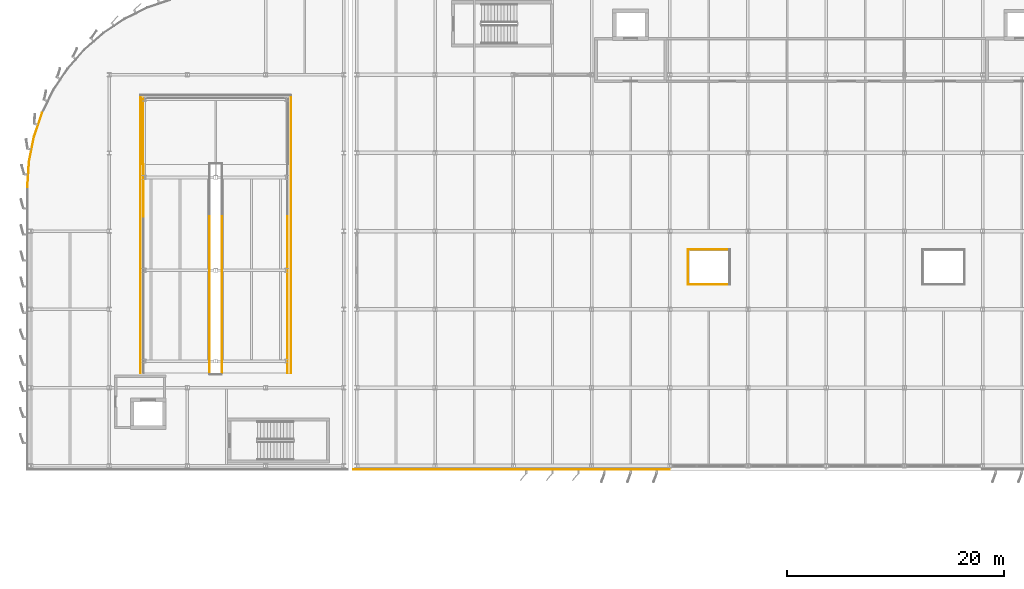
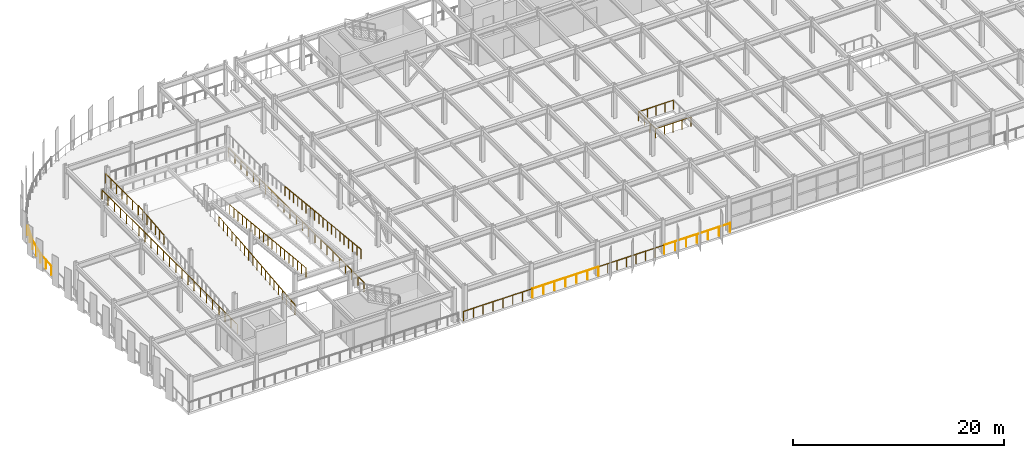
# One storey, part 64 of 80: 23 railings.
"""IFC4 building model written with IfcOpenShell, lengths in metres."""

from ifc_helpers import new_model, si_unit, direction, frame, origin, origin_2d, place, context, subcontext, project, spatial, circle, extrude, material, layer, layer_set, type_object, element, save


model = new_model("IFC4")

# Units and contexts
model_context = context("Model", 3, precision=1e-05, world=origin(), true_north=direction((0.0, 1.0)))
body_context = subcontext(model_context, "Body", "Model", "MODEL_VIEW")
ifc_project = project(units=[si_unit("LENGTHUNIT", "METRE"), si_unit("AREAUNIT", "SQUARE_METRE"), si_unit("VOLUMEUNIT", "CUBIC_METRE"), si_unit("PLANEANGLEUNIT", "RADIAN"), si_unit("MASSUNIT", "GRAM", prefix="KILO")], contexts=[model_context])

# Site, building, storey
site_placement = place(None, origin())
site = spatial("IfcSite", under=ifc_project, at=site_placement, CompositionType="ELEMENT")
building_placement = place(site_placement, origin())
building = spatial("IfcBuilding", under=site, at=building_placement, Name="Vaelcorin Mobility Hub", CompositionType="ELEMENT")
storey_placement = place(building_placement, frame((0.0, 0.0, 9.300048828125)))
storey = spatial("IfcBuildingStorey", under=building, at=storey_placement, Name="L02", CompositionType="ELEMENT", Elevation=9.300048828125)

# Railings
ifc_material = material(Name="Galvanised structural steel ASTM A36", Category="steel")
ifc_layer = layer(ifc_material, 0.070068359375)
ifc_layer_set = layer_set([ifc_layer], Name="Galvanised structural steel ASTM A36")
railing_type = type_object("IfcRailingType", Name="RL-GUARD-1100", PredefinedType="BALUSTRADE", material=ifc_layer_set)
railing_1_placement = place(storey_placement, frame((35.669921875, 76.469970703125, 0.0)))
element("IfcRailing", 1, at=railing_1_placement, inside=storey, type_object=railing_type, Name="L02 Perimeter Guard GR-V4-L02-S-01-01", PredefinedType="BALUSTRADE", context=body_context, shape_type="SweptSolid", body=[
    extrude(circle(Radius=0.02392578125, at=origin_2d()), frame((0.0, 0.0, 1.076171875), z_axis=(1.0, 0.0, 0.0), x_axis=(0.0, 1.0, 0.0)), (0.0, 0.0, 1.0), 7.530029296875),
    extrude(circle(Radius=0.02099609375, at=origin_2d()), origin(), (0.0, 0.0, 1.0), 1.052001953125),
    extrude(circle(Radius=0.02099609375, at=origin_2d()), frame((1.07568359375, 0.0, 0.0)), (0.0, 0.0, 1.0), 1.052001953125),
    extrude(circle(Radius=0.02099609375, at=origin_2d()), frame((2.1513671875, 0.0, 0.0)), (0.0, 0.0, 1.0), 1.052001953125),
    extrude(circle(Radius=0.02099609375, at=origin_2d()), frame((3.22705078125, 0.0, 0.0)), (0.0, 0.0, 1.0), 1.052001953125),
    extrude(circle(Radius=0.02099609375, at=origin_2d()), frame((4.302978515625, 0.0, 0.0)), (0.0, 0.0, 1.0), 1.052001953125),
    extrude(circle(Radius=0.02099609375, at=origin_2d()), frame((5.378662109375, 0.0, 0.0)), (0.0, 0.0, 1.0), 1.052001953125),
    extrude(circle(Radius=0.02099609375, at=origin_2d()), frame((6.454345703125, 0.0, 0.0)), (0.0, 0.0, 1.0), 1.052001953125),
    extrude(circle(Radius=0.02099609375, at=origin_2d()), frame((7.530029296875, 0.0, 0.0)), (0.0, 0.0, 1.0), 1.052001953125),
])
railing_2_placement = place(storey_placement, frame((43.199951171875, 76.469970703125, 0.0)))
element("IfcRailing", 2, at=railing_2_placement, inside=storey, type_object=railing_type, Name="L02 Perimeter Guard GR-V4-L02-S-02-01", PredefinedType="BALUSTRADE", context=body_context, shape_type="SweptSolid", body=[
    extrude(circle(Radius=0.02392578125, at=origin_2d()), frame((0.0, 0.0, 1.076171875), z_axis=(1.0, 0.0, 0.0), x_axis=(0.0, 1.0, 0.0)), (0.0, 0.0, 1.0), 7.199951171875),
    extrude(circle(Radius=0.02099609375, at=origin_2d()), origin(), (0.0, 0.0, 1.0), 1.052001953125),
    extrude(circle(Radius=0.02099609375, at=origin_2d()), frame((1.199951171875, 0.0, 0.0)), (0.0, 0.0, 1.0), 1.052001953125),
    extrude(circle(Radius=0.02099609375, at=origin_2d()), frame((2.39990234375, 0.0, 0.0)), (0.0, 0.0, 1.0), 1.052001953125),
    extrude(circle(Radius=0.02099609375, at=origin_2d()), frame((3.60009765625, 0.0, 0.0)), (0.0, 0.0, 1.0), 1.052001953125),
    extrude(circle(Radius=0.02099609375, at=origin_2d()), frame((4.800048828125, 0.0, 0.0)), (0.0, 0.0, 1.0), 1.052001953125),
    extrude(circle(Radius=0.02099609375, at=origin_2d()), frame((6.0, 0.0, 0.0)), (0.0, 0.0, 1.0), 1.052001953125),
    extrude(circle(Radius=0.02099609375, at=origin_2d()), frame((7.199951171875, 0.0, 0.0)), (0.0, 0.0, 1.0), 1.052001953125),
])
railing_3_placement = place(storey_placement, frame((50.39990234375, 76.469970703125, 0.0)))
element("IfcRailing", 3, at=railing_3_placement, inside=storey, type_object=railing_type, Name="L02 Perimeter Guard GR-V4-L02-S-03-01", PredefinedType="BALUSTRADE", context=body_context, shape_type="SweptSolid", body=[
    extrude(circle(Radius=0.02392578125, at=origin_2d()), frame((0.0, 0.0, 1.076171875), z_axis=(1.0, 0.0, 0.0), x_axis=(0.0, 1.0, 0.0)), (0.0, 0.0, 1.0), 7.2001953125),
    extrude(circle(Radius=0.02099609375, at=origin_2d()), origin(), (0.0, 0.0, 1.0), 1.052001953125),
    extrude(circle(Radius=0.02099609375, at=origin_2d()), frame((1.028564453125, 0.0, 0.0)), (0.0, 0.0, 1.0), 1.052001953125),
    extrude(circle(Radius=0.02099609375, at=origin_2d()), frame((2.05712890625, 0.0, 0.0)), (0.0, 0.0, 1.0), 1.052001953125),
    extrude(circle(Radius=0.02099609375, at=origin_2d()), frame((3.085693359375, 0.0, 0.0)), (0.0, 0.0, 1.0), 1.052001953125),
    extrude(circle(Radius=0.02099609375, at=origin_2d()), frame((4.114501953125, 0.0, 0.0)), (0.0, 0.0, 1.0), 1.052001953125),
    extrude(circle(Radius=0.02099609375, at=origin_2d()), frame((5.14306640625, 0.0, 0.0)), (0.0, 0.0, 1.0), 1.052001953125),
    extrude(circle(Radius=0.02099609375, at=origin_2d()), frame((6.171630859375, 0.0, 0.0)), (0.0, 0.0, 1.0), 1.052001953125),
    extrude(circle(Radius=0.02099609375, at=origin_2d()), frame((7.2001953125, 0.0, 0.0)), (0.0, 0.0, 1.0), 1.052001953125),
])
railing_4_placement = place(storey_placement, frame((57.60009765625, 76.469970703125, 0.0)))
element("IfcRailing", 4, at=railing_4_placement, inside=storey, type_object=railing_type, Name="L02 Perimeter Guard GR-V4-L02-S-04-01", PredefinedType="BALUSTRADE", context=body_context, shape_type="SweptSolid", body=[
    extrude(circle(Radius=0.02392578125, at=origin_2d()), frame((0.0, 0.0, 1.076171875), z_axis=(1.0, 0.0, 0.0), x_axis=(0.0, 1.0, 0.0)), (0.0, 0.0, 1.0), 7.199951171875),
    extrude(circle(Radius=0.02099609375, at=origin_2d()), origin(), (0.0, 0.0, 1.0), 1.052001953125),
    extrude(circle(Radius=0.02099609375, at=origin_2d()), frame((1.199951171875, 0.0, 0.0)), (0.0, 0.0, 1.0), 1.052001953125),
    extrude(circle(Radius=0.02099609375, at=origin_2d()), frame((2.39990234375, 0.0, 0.0)), (0.0, 0.0, 1.0), 1.052001953125),
    extrude(circle(Radius=0.02099609375, at=origin_2d()), frame((3.60009765625, 0.0, 0.0)), (0.0, 0.0, 1.0), 1.052001953125),
    extrude(circle(Radius=0.02099609375, at=origin_2d()), frame((4.800048828125, 0.0, 0.0)), (0.0, 0.0, 1.0), 1.052001953125),
    extrude(circle(Radius=0.02099609375, at=origin_2d()), frame((6.0, 0.0, 0.0)), (0.0, 0.0, 1.0), 1.052001953125),
    extrude(circle(Radius=0.02099609375, at=origin_2d()), frame((7.199951171875, 0.0, 0.0)), (0.0, 0.0, 1.0), 1.052001953125),
])
railing_5_placement = place(storey_placement, frame((66.47998046875, 93.47998046875, 0.0)))
element("IfcRailing", 5, at=railing_5_placement, inside=storey, type_object=railing_type, Name="L02 Perimeter Guard GR-V4-L02-LW1-01", PredefinedType="BALUSTRADE", context=body_context, shape_type="SweptSolid", body=[
    extrude(circle(Radius=0.02392578125, at=origin_2d()), frame((0.0, 0.0, 1.076171875), z_axis=(1.0, 0.0, 0.0), x_axis=(0.0, 1.0, 0.0)), (0.0, 0.0, 1.0), 3.840087890625),
    extrude(circle(Radius=0.02099609375, at=origin_2d()), origin(), (0.0, 0.0, 1.0), 1.052001953125),
    extrude(circle(Radius=0.02099609375, at=origin_2d()), frame((0.9599609375, 0.0, 0.0)), (0.0, 0.0, 1.0), 1.052001953125),
    extrude(circle(Radius=0.02099609375, at=origin_2d()), frame((1.919921875, 0.0, 0.0)), (0.0, 0.0, 1.0), 1.052001953125),
    extrude(circle(Radius=0.02099609375, at=origin_2d()), frame((2.880126953125, 0.0, 0.0)), (0.0, 0.0, 1.0), 1.052001953125),
    extrude(circle(Radius=0.02099609375, at=origin_2d()), frame((3.840087890625, 0.0, 0.0)), (0.0, 0.0, 1.0), 1.052001953125),
])
railing_6_placement = place(storey_placement, frame((70.320068359375, 96.719970703125, 0.0)))
element("IfcRailing", 6, at=railing_6_placement, inside=storey, type_object=railing_type, Name="L02 Perimeter Guard GR-V4-L02-LW1-03", PredefinedType="BALUSTRADE", context=body_context, shape_type="SweptSolid", body=[
    extrude(circle(Radius=0.02392578125, at=origin_2d()), frame((0.0, 0.0, 1.076171875), z_axis=(-1.0, 0.0, 0.0), x_axis=(0.0, -1.0, 0.0)), (0.0, 0.0, 1.0), 3.840087890625),
    extrude(circle(Radius=0.02099609375, at=origin_2d()), origin(), (0.0, 0.0, 1.0), 1.052001953125),
    extrude(circle(Radius=0.02099609375, at=origin_2d()), frame((-0.9599609375, 0.0, 0.0)), (0.0, 0.0, 1.0), 1.052001953125),
    extrude(circle(Radius=0.02099609375, at=origin_2d()), frame((-1.919921875, 0.0, 0.0)), (0.0, 0.0, 1.0), 1.052001953125),
    extrude(circle(Radius=0.02099609375, at=origin_2d()), frame((-2.880126953125, 0.0, 0.0)), (0.0, 0.0, 1.0), 1.052001953125),
    extrude(circle(Radius=0.02099609375, at=origin_2d()), frame((-3.840087890625, 0.0, 0.0)), (0.0, 0.0, 1.0), 1.052001953125),
])
railing_7_placement = place(storey_placement, frame((66.47998046875, 96.719970703125, 0.0)))
element("IfcRailing", 7, at=railing_7_placement, inside=storey, type_object=railing_type, Name="L02 Perimeter Guard GR-V4-L02-LW1-04", PredefinedType="BALUSTRADE", context=body_context, shape_type="SweptSolid", body=[
    extrude(circle(Radius=0.02392578125, at=origin_2d()), frame((0.0, 0.0, 1.076171875), z_axis=(0.0, -1.0, 0.0), x_axis=(1.0, 0.0, 0.0)), (0.0, 0.0, 1.0), 3.239990234375),
    extrude(circle(Radius=0.02099609375, at=origin_2d()), origin(), (0.0, 0.0, 1.0), 1.052001953125),
    extrude(circle(Radius=0.02099609375, at=origin_2d()), frame((0.0, -1.080078125, 0.0)), (0.0, 0.0, 1.0), 1.052001953125),
    extrude(circle(Radius=0.02099609375, at=origin_2d()), frame((0.0, -2.159912109375, 0.0)), (0.0, 0.0, 1.0), 1.052001953125),
    extrude(circle(Radius=0.02099609375, at=origin_2d()), frame((0.0, -3.239990234375, 0.0)), (0.0, 0.0, 1.0), 1.052001953125),
])
railing_8_placement = place(storey_placement, frame((16.080078125, 85.340087890625, 0.0)))
element("IfcRailing", 8, at=railing_8_placement, inside=storey, type_object=railing_type, Name="L02 Perimeter Guard GR-V2W-L02-WELL-01", PredefinedType="BALUSTRADE", context=body_context, shape_type="SweptSolid", body=[
    extrude(circle(Radius=0.02392578125, at=origin_2d()), frame((0.0, 0.0, 1.076171875), z_axis=(0.0, 1.0, 0.0), x_axis=(-1.0, 0.0, 0.0)), (0.0, 0.0, 1.0), 25.579833984375),
    extrude(circle(Radius=0.02099609375, at=origin_2d()), origin(), (0.0, 0.0, 1.0), 1.052001953125),
    extrude(circle(Radius=0.02099609375, at=origin_2d()), frame((0.0, 1.16259765625, 0.0)), (0.0, 0.0, 1.0), 1.052001953125),
    extrude(circle(Radius=0.02099609375, at=origin_2d()), frame((0.0, 2.325439453125, 0.0)), (0.0, 0.0, 1.0), 1.052001953125),
    extrude(circle(Radius=0.02099609375, at=origin_2d()), frame((0.0, 3.488037109375, 0.0)), (0.0, 0.0, 1.0), 1.052001953125),
    extrude(circle(Radius=0.02099609375, at=origin_2d()), frame((0.0, 4.65087890625, 0.0)), (0.0, 0.0, 1.0), 1.052001953125),
    extrude(circle(Radius=0.02099609375, at=origin_2d()), frame((0.0, 5.8134765625, 0.0)), (0.0, 0.0, 1.0), 1.052001953125),
    extrude(circle(Radius=0.02099609375, at=origin_2d()), frame((0.0, 6.976318359375, 0.0)), (0.0, 0.0, 1.0), 1.052001953125),
    extrude(circle(Radius=0.02099609375, at=origin_2d()), frame((0.0, 8.13916015625, 0.0)), (0.0, 0.0, 1.0), 1.052001953125),
    extrude(circle(Radius=0.02099609375, at=origin_2d()), frame((0.0, 9.3017578125, 0.0)), (0.0, 0.0, 1.0), 1.052001953125),
    extrude(circle(Radius=0.02099609375, at=origin_2d()), frame((0.0, 10.46435546875, 0.0)), (0.0, 0.0, 1.0), 1.052001953125),
    extrude(circle(Radius=0.02099609375, at=origin_2d()), frame((0.0, 11.627197265625, 0.0)), (0.0, 0.0, 1.0), 1.052001953125),
    extrude(circle(Radius=0.02099609375, at=origin_2d()), frame((0.0, 12.7900390625, 0.0)), (0.0, 0.0, 1.0), 1.052001953125),
    extrude(circle(Radius=0.02099609375, at=origin_2d()), frame((0.0, 13.95263671875, 0.0)), (0.0, 0.0, 1.0), 1.052001953125),
    extrude(circle(Radius=0.02099609375, at=origin_2d()), frame((0.0, 15.115234375, 0.0)), (0.0, 0.0, 1.0), 1.052001953125),
    extrude(circle(Radius=0.02099609375, at=origin_2d()), frame((0.0, 16.278076171875, 0.0)), (0.0, 0.0, 1.0), 1.052001953125),
    extrude(circle(Radius=0.02099609375, at=origin_2d()), frame((0.0, 17.44091796875, 0.0)), (0.0, 0.0, 1.0), 1.052001953125),
    extrude(circle(Radius=0.02099609375, at=origin_2d()), frame((0.0, 18.603515625, 0.0)), (0.0, 0.0, 1.0), 1.052001953125),
    extrude(circle(Radius=0.02099609375, at=origin_2d()), frame((0.0, 19.76611328125, 0.0)), (0.0, 0.0, 1.0), 1.052001953125),
    extrude(circle(Radius=0.02099609375, at=origin_2d()), frame((0.0, 20.928955078125, 0.0)), (0.0, 0.0, 1.0), 1.052001953125),
    extrude(circle(Radius=0.02099609375, at=origin_2d()), frame((0.0, 22.091796875, 0.0)), (0.0, 0.0, 1.0), 1.052001953125),
    extrude(circle(Radius=0.02099609375, at=origin_2d()), frame((0.0, 23.25439453125, 0.0)), (0.0, 0.0, 1.0), 1.052001953125),
    extrude(circle(Radius=0.02099609375, at=origin_2d()), frame((0.0, 24.4169921875, 0.0)), (0.0, 0.0, 1.0), 1.052001953125),
    extrude(circle(Radius=0.02099609375, at=origin_2d()), frame((0.0, 25.579833984375, 0.0)), (0.0, 0.0, 1.0), 1.052001953125),
])
railing_9_placement = place(storey_placement, frame((29.919921875, 110.919921875, 0.0)))
element("IfcRailing", 9, at=railing_9_placement, inside=storey, type_object=railing_type, Name="L02 Perimeter Guard GR-V2W-L02-WELL-03", PredefinedType="BALUSTRADE", context=body_context, shape_type="SweptSolid", body=[
    extrude(circle(Radius=0.02392578125, at=origin_2d()), frame((0.0, 0.0, 1.076171875), z_axis=(0.0, -1.0, 0.0), x_axis=(1.0, 0.0, 0.0)), (0.0, 0.0, 1.0), 25.579833984375),
    extrude(circle(Radius=0.02099609375, at=origin_2d()), origin(), (0.0, 0.0, 1.0), 1.052001953125),
    extrude(circle(Radius=0.02099609375, at=origin_2d()), frame((0.0, -1.16259765625, 0.0)), (0.0, 0.0, 1.0), 1.052001953125),
    extrude(circle(Radius=0.02099609375, at=origin_2d()), frame((0.0, -2.325439453125, 0.0)), (0.0, 0.0, 1.0), 1.052001953125),
    extrude(circle(Radius=0.02099609375, at=origin_2d()), frame((0.0, -3.488037109375, 0.0)), (0.0, 0.0, 1.0), 1.052001953125),
    extrude(circle(Radius=0.02099609375, at=origin_2d()), frame((0.0, -4.65087890625, 0.0)), (0.0, 0.0, 1.0), 1.052001953125),
    extrude(circle(Radius=0.02099609375, at=origin_2d()), frame((0.0, -5.8134765625, 0.0)), (0.0, 0.0, 1.0), 1.052001953125),
    extrude(circle(Radius=0.02099609375, at=origin_2d()), frame((0.0, -6.976318359375, 0.0)), (0.0, 0.0, 1.0), 1.052001953125),
    extrude(circle(Radius=0.02099609375, at=origin_2d()), frame((0.0, -8.13916015625, 0.0)), (0.0, 0.0, 1.0), 1.052001953125),
    extrude(circle(Radius=0.02099609375, at=origin_2d()), frame((0.0, -9.3017578125, 0.0)), (0.0, 0.0, 1.0), 1.052001953125),
    extrude(circle(Radius=0.02099609375, at=origin_2d()), frame((0.0, -10.46435546875, 0.0)), (0.0, 0.0, 1.0), 1.052001953125),
    extrude(circle(Radius=0.02099609375, at=origin_2d()), frame((0.0, -11.627197265625, 0.0)), (0.0, 0.0, 1.0), 1.052001953125),
    extrude(circle(Radius=0.02099609375, at=origin_2d()), frame((0.0, -12.7900390625, 0.0)), (0.0, 0.0, 1.0), 1.052001953125),
    extrude(circle(Radius=0.02099609375, at=origin_2d()), frame((0.0, -13.95263671875, 0.0)), (0.0, 0.0, 1.0), 1.052001953125),
    extrude(circle(Radius=0.02099609375, at=origin_2d()), frame((0.0, -15.115234375, 0.0)), (0.0, 0.0, 1.0), 1.052001953125),
    extrude(circle(Radius=0.02099609375, at=origin_2d()), frame((0.0, -16.278076171875, 0.0)), (0.0, 0.0, 1.0), 1.052001953125),
    extrude(circle(Radius=0.02099609375, at=origin_2d()), frame((0.0, -17.44091796875, 0.0)), (0.0, 0.0, 1.0), 1.052001953125),
    extrude(circle(Radius=0.02099609375, at=origin_2d()), frame((0.0, -18.603515625, 0.0)), (0.0, 0.0, 1.0), 1.052001953125),
    extrude(circle(Radius=0.02099609375, at=origin_2d()), frame((0.0, -19.76611328125, 0.0)), (0.0, 0.0, 1.0), 1.052001953125),
    extrude(circle(Radius=0.02099609375, at=origin_2d()), frame((0.0, -20.928955078125, 0.0)), (0.0, 0.0, 1.0), 1.052001953125),
    extrude(circle(Radius=0.02099609375, at=origin_2d()), frame((0.0, -22.091796875, 0.0)), (0.0, 0.0, 1.0), 1.052001953125),
    extrude(circle(Radius=0.02099609375, at=origin_2d()), frame((0.0, -23.25439453125, 0.0)), (0.0, 0.0, 1.0), 1.052001953125),
    extrude(circle(Radius=0.02099609375, at=origin_2d()), frame((0.0, -24.4169921875, 0.0)), (0.0, 0.0, 1.0), 1.052001953125),
    extrude(circle(Radius=0.02099609375, at=origin_2d()), frame((0.0, -25.579833984375, 0.0)), (0.0, 0.0, 1.0), 1.052001953125),
])
for number, where, name in (
    (10, (16.3798828125, 99.7451171875, 1.4619140625), "L02 Ramp Guard GR-V2W-L02-FL1-W-04"),
    (11, (22.419921875, 85.360107421875, 0.0), "L02 Ramp Guard GR-V2W-L02-FL1-E-01"),
):
    element("IfcRailing", number, at=place(storey_placement, frame(where)), inside=storey, type_object=railing_type, Name=name, PredefinedType="BALUSTRADE", context=body_context, shape_type="SweptSolid", body=[
        extrude(circle(Radius=0.02392578125, at=origin_2d()), frame((0.0, 0.0, 1.076171875), z_axis=(0.0, 0.994860105467, 0.10125892825), x_axis=(-1.0, 0.0, 0.0)), (0.0, 0.0, 1.0), 4.819580078125),
        extrude(circle(Radius=0.02099609375, at=origin_2d()), origin(), (0.0, 0.0, 1.0), 1.052001953125),
        extrude(circle(Radius=0.02099609375, at=origin_2d()), frame((0.0, 0.799072265625, 0.081298828125)), (0.0, 0.0, 1.0), 1.052001953125),
        extrude(circle(Radius=0.02099609375, at=origin_2d()), frame((0.0, 1.598388671875, 0.16259765625)), (0.0, 0.0, 1.0), 1.052001953125),
        extrude(circle(Radius=0.02099609375, at=origin_2d()), frame((0.0, 2.3974609375, 0.244140625)), (0.0, 0.0, 1.0), 1.052001953125),
        extrude(circle(Radius=0.02099609375, at=origin_2d()), frame((0.0, 3.196533203125, 0.325439453125)), (0.0, 0.0, 1.0), 1.052001953125),
        extrude(circle(Radius=0.02099609375, at=origin_2d()), frame((0.0, 3.995849609375, 0.40673828125)), (0.0, 0.0, 1.0), 1.052001953125),
        extrude(circle(Radius=0.02099609375, at=origin_2d()), frame((0.0, 4.794921875, 0.488037109375)), (0.0, 0.0, 1.0), 1.052001953125),
    ])
railing_10_placement = place(storey_placement, frame((22.419921875, 90.155029296875, 0.488037109375)))
element("IfcRailing", 12, at=railing_10_placement, inside=storey, type_object=railing_type, Name="L02 Ramp Guard GR-V2W-L02-FL1-E-02", PredefinedType="BALUSTRADE", context=body_context, shape_type="SweptSolid", body=[
    extrude(circle(Radius=0.02392578125, at=origin_2d()), frame((0.0, 0.0, 1.076171875), z_axis=(0.0, 0.994885588968, 0.101008241568), x_axis=(-1.0, 0.0, 0.0)), (0.0, 0.0, 1.0), 4.819580078125),
    extrude(circle(Radius=0.02099609375, at=origin_2d()), origin(), (0.0, 0.0, 1.0), 1.052001953125),
    extrude(circle(Radius=0.02099609375, at=origin_2d()), frame((0.0, 0.799072265625, 0.0810546875)), (0.0, 0.0, 1.0), 1.052001953125),
    extrude(circle(Radius=0.02099609375, at=origin_2d()), frame((0.0, 1.598388671875, 0.162353515625)), (0.0, 0.0, 1.0), 1.052001953125),
    extrude(circle(Radius=0.02099609375, at=origin_2d()), frame((0.0, 2.3974609375, 0.243408203125)), (0.0, 0.0, 1.0), 1.052001953125),
    extrude(circle(Radius=0.02099609375, at=origin_2d()), frame((0.0, 3.196533203125, 0.324462890625)), (0.0, 0.0, 1.0), 1.052001953125),
    extrude(circle(Radius=0.02099609375, at=origin_2d()), frame((0.0, 3.995849609375, 0.40576171875)), (0.0, 0.0, 1.0), 1.052001953125),
    extrude(circle(Radius=0.02099609375, at=origin_2d()), frame((0.0, 4.794921875, 0.48681640625)), (0.0, 0.0, 1.0), 1.052001953125),
])
railing_11_placement = place(storey_placement, frame((22.419921875, 94.949951171875, 0.974853515625)))
element("IfcRailing", 13, at=railing_11_placement, inside=storey, type_object=railing_type, Name="L02 Ramp Guard GR-V2W-L02-FL1-E-03", PredefinedType="BALUSTRADE", context=body_context, shape_type="SweptSolid", body=[
    extrude(circle(Radius=0.02392578125, at=origin_2d()), frame((0.0, 0.0, 1.076171875), z_axis=(0.0, 0.994881014515, 0.101053287712), x_axis=(-1.0, 0.0, 0.0)), (0.0, 0.0, 1.0), 4.81982421875),
    extrude(circle(Radius=0.02099609375, at=origin_2d()), origin(), (0.0, 0.0, 1.0), 1.052001953125),
    extrude(circle(Radius=0.02099609375, at=origin_2d()), frame((0.0, 0.79931640625, 0.0810546875)), (0.0, 0.0, 1.0), 1.052001953125),
    extrude(circle(Radius=0.02099609375, at=origin_2d()), frame((0.0, 1.598388671875, 0.162353515625)), (0.0, 0.0, 1.0), 1.052001953125),
    extrude(circle(Radius=0.02099609375, at=origin_2d()), frame((0.0, 2.3974609375, 0.24365234375)), (0.0, 0.0, 1.0), 1.052001953125),
    extrude(circle(Radius=0.02099609375, at=origin_2d()), frame((0.0, 3.19677734375, 0.32470703125)), (0.0, 0.0, 1.0), 1.052001953125),
    extrude(circle(Radius=0.02099609375, at=origin_2d()), frame((0.0, 3.99609375, 0.40576171875)), (0.0, 0.0, 1.0), 1.052001953125),
    extrude(circle(Radius=0.02099609375, at=origin_2d()), frame((0.0, 4.795166015625, 0.487060546875)), (0.0, 0.0, 1.0), 1.052001953125),
])
railing_12_placement = place(storey_placement, frame((23.580078125, 99.7451171875, 2.43798828125)))
element("IfcRailing", 14, at=railing_12_placement, inside=storey, type_object=railing_type, Name="L02 Ramp Guard GR-V2W-L02-FL2-W-02", PredefinedType="BALUSTRADE", context=body_context, shape_type="SweptSolid", body=[
    extrude(circle(Radius=0.02392578125, at=origin_2d()), frame((0.0, 0.0, 1.076171875), z_axis=(0.0, -0.994881014515, 0.101053287712), x_axis=(1.0, 0.0, 0.0)), (0.0, 0.0, 1.0), 4.81982421875),
    extrude(circle(Radius=0.02099609375, at=origin_2d()), origin(), (0.0, 0.0, 1.0), 1.052001953125),
    extrude(circle(Radius=0.02099609375, at=origin_2d()), frame((0.0, -0.79931640625, 0.0810546875)), (0.0, 0.0, 1.0), 1.052001953125),
    extrude(circle(Radius=0.02099609375, at=origin_2d()), frame((0.0, -1.598388671875, 0.162353515625)), (0.0, 0.0, 1.0), 1.052001953125),
    extrude(circle(Radius=0.02099609375, at=origin_2d()), frame((0.0, -2.3974609375, 0.24365234375)), (0.0, 0.0, 1.0), 1.052001953125),
    extrude(circle(Radius=0.02099609375, at=origin_2d()), frame((0.0, -3.19677734375, 0.32470703125)), (0.0, 0.0, 1.0), 1.052001953125),
    extrude(circle(Radius=0.02099609375, at=origin_2d()), frame((0.0, -3.99609375, 0.40576171875)), (0.0, 0.0, 1.0), 1.052001953125),
    extrude(circle(Radius=0.02099609375, at=origin_2d()), frame((0.0, -4.795166015625, 0.487060546875)), (0.0, 0.0, 1.0), 1.052001953125),
])
railing_13_placement = place(storey_placement, frame((23.580078125, 94.949951171875, 2.925048828125)))
element("IfcRailing", 15, at=railing_13_placement, inside=storey, type_object=railing_type, Name="L02 Ramp Guard GR-V2W-L02-FL2-W-03", PredefinedType="BALUSTRADE", context=body_context, shape_type="SweptSolid", body=[
    extrude(circle(Radius=0.02392578125, at=origin_2d()), frame((0.0, 0.0, 1.076171875), z_axis=(0.0, -0.994885588968, 0.101008241568), x_axis=(1.0, 0.0, 0.0)), (0.0, 0.0, 1.0), 4.819580078125),
    extrude(circle(Radius=0.02099609375, at=origin_2d()), origin(), (0.0, 0.0, 1.0), 1.052001953125),
    extrude(circle(Radius=0.02099609375, at=origin_2d()), frame((0.0, -0.799072265625, 0.0810546875)), (0.0, 0.0, 1.0), 1.052001953125),
    extrude(circle(Radius=0.02099609375, at=origin_2d()), frame((0.0, -1.598388671875, 0.162353515625)), (0.0, 0.0, 1.0), 1.052001953125),
    extrude(circle(Radius=0.02099609375, at=origin_2d()), frame((0.0, -2.3974609375, 0.243408203125)), (0.0, 0.0, 1.0), 1.052001953125),
    extrude(circle(Radius=0.02099609375, at=origin_2d()), frame((0.0, -3.196533203125, 0.324462890625)), (0.0, 0.0, 1.0), 1.052001953125),
    extrude(circle(Radius=0.02099609375, at=origin_2d()), frame((0.0, -3.995849609375, 0.40576171875)), (0.0, 0.0, 1.0), 1.052001953125),
    extrude(circle(Radius=0.02099609375, at=origin_2d()), frame((0.0, -4.794921875, 0.48681640625)), (0.0, 0.0, 1.0), 1.052001953125),
])
railing_14_placement = place(storey_placement, frame((23.580078125, 90.155029296875, 3.411865234375)))
element("IfcRailing", 16, at=railing_14_placement, inside=storey, type_object=railing_type, Name="L02 Ramp Guard GR-V2W-L02-FL2-W-04", PredefinedType="BALUSTRADE", context=body_context, shape_type="SweptSolid", body=[
    extrude(circle(Radius=0.02392578125, at=origin_2d()), frame((0.0, 0.0, 1.076171875), z_axis=(0.0, -0.994860105467, 0.10125892825), x_axis=(1.0, 0.0, 0.0)), (0.0, 0.0, 1.0), 4.819580078125),
    extrude(circle(Radius=0.02099609375, at=origin_2d()), origin(), (0.0, 0.0, 1.0), 1.052001953125),
    extrude(circle(Radius=0.02099609375, at=origin_2d()), frame((0.0, -0.799072265625, 0.081298828125)), (0.0, 0.0, 1.0), 1.052001953125),
    extrude(circle(Radius=0.02099609375, at=origin_2d()), frame((0.0, -1.598388671875, 0.16259765625)), (0.0, 0.0, 1.0), 1.052001953125),
    extrude(circle(Radius=0.02099609375, at=origin_2d()), frame((0.0, -2.3974609375, 0.244140625)), (0.0, 0.0, 1.0), 1.052001953125),
    extrude(circle(Radius=0.02099609375, at=origin_2d()), frame((0.0, -3.196533203125, 0.325439453125)), (0.0, 0.0, 1.0), 1.052001953125),
    extrude(circle(Radius=0.02099609375, at=origin_2d()), frame((0.0, -3.995849609375, 0.40673828125)), (0.0, 0.0, 1.0), 1.052001953125),
    extrude(circle(Radius=0.02099609375, at=origin_2d()), frame((0.0, -4.794921875, 0.488037109375)), (0.0, 0.0, 1.0), 1.052001953125),
])
railing_15_placement = place(storey_placement, frame((29.6201171875, 99.7451171875, 2.43798828125)))
element("IfcRailing", 17, at=railing_15_placement, inside=storey, type_object=railing_type, Name="L02 Ramp Guard GR-V2W-L02-FL2-E-02", PredefinedType="BALUSTRADE", context=body_context, shape_type="SweptSolid", body=[
    extrude(circle(Radius=0.02392578125, at=origin_2d()), frame((0.0, 0.0, 1.076171875), z_axis=(0.0, -0.994881014515, 0.101053287712), x_axis=(1.0, 0.0, 0.0)), (0.0, 0.0, 1.0), 4.81982421875),
    extrude(circle(Radius=0.02099609375, at=origin_2d()), origin(), (0.0, 0.0, 1.0), 1.052001953125),
    extrude(circle(Radius=0.02099609375, at=origin_2d()), frame((0.0, -0.79931640625, 0.0810546875)), (0.0, 0.0, 1.0), 1.052001953125),
    extrude(circle(Radius=0.02099609375, at=origin_2d()), frame((0.0, -1.598388671875, 0.162353515625)), (0.0, 0.0, 1.0), 1.052001953125),
    extrude(circle(Radius=0.02099609375, at=origin_2d()), frame((0.0, -2.3974609375, 0.24365234375)), (0.0, 0.0, 1.0), 1.052001953125),
    extrude(circle(Radius=0.02099609375, at=origin_2d()), frame((0.0, -3.19677734375, 0.32470703125)), (0.0, 0.0, 1.0), 1.052001953125),
    extrude(circle(Radius=0.02099609375, at=origin_2d()), frame((0.0, -3.99609375, 0.40576171875)), (0.0, 0.0, 1.0), 1.052001953125),
    extrude(circle(Radius=0.02099609375, at=origin_2d()), frame((0.0, -4.795166015625, 0.487060546875)), (0.0, 0.0, 1.0), 1.052001953125),
])
railing_16_placement = place(storey_placement, frame((29.6201171875, 94.949951171875, 2.925048828125)))
element("IfcRailing", 18, at=railing_16_placement, inside=storey, type_object=railing_type, Name="L02 Ramp Guard GR-V2W-L02-FL2-E-03", PredefinedType="BALUSTRADE", context=body_context, shape_type="SweptSolid", body=[
    extrude(circle(Radius=0.02392578125, at=origin_2d()), frame((0.0, 0.0, 1.076171875), z_axis=(0.0, -0.994885588968, 0.101008241568), x_axis=(1.0, 0.0, 0.0)), (0.0, 0.0, 1.0), 4.819580078125),
    extrude(circle(Radius=0.02099609375, at=origin_2d()), origin(), (0.0, 0.0, 1.0), 1.052001953125),
    extrude(circle(Radius=0.02099609375, at=origin_2d()), frame((0.0, -0.799072265625, 0.0810546875)), (0.0, 0.0, 1.0), 1.052001953125),
    extrude(circle(Radius=0.02099609375, at=origin_2d()), frame((0.0, -1.598388671875, 0.162353515625)), (0.0, 0.0, 1.0), 1.052001953125),
    extrude(circle(Radius=0.02099609375, at=origin_2d()), frame((0.0, -2.3974609375, 0.243408203125)), (0.0, 0.0, 1.0), 1.052001953125),
    extrude(circle(Radius=0.02099609375, at=origin_2d()), frame((0.0, -3.196533203125, 0.324462890625)), (0.0, 0.0, 1.0), 1.052001953125),
    extrude(circle(Radius=0.02099609375, at=origin_2d()), frame((0.0, -3.995849609375, 0.40576171875)), (0.0, 0.0, 1.0), 1.052001953125),
    extrude(circle(Radius=0.02099609375, at=origin_2d()), frame((0.0, -4.794921875, 0.48681640625)), (0.0, 0.0, 1.0), 1.052001953125),
])
railing_17_placement = place(storey_placement, frame((29.6201171875, 90.155029296875, 3.411865234375)))
element("IfcRailing", 19, at=railing_17_placement, inside=storey, type_object=railing_type, Name="L02 Ramp Guard GR-V2W-L02-FL2-E-04", PredefinedType="BALUSTRADE", context=body_context, shape_type="SweptSolid", body=[
    extrude(circle(Radius=0.02392578125, at=origin_2d()), frame((0.0, 0.0, 1.076171875), z_axis=(0.0, -0.994860105467, 0.10125892825), x_axis=(1.0, 0.0, 0.0)), (0.0, 0.0, 1.0), 4.819580078125),
    extrude(circle(Radius=0.02099609375, at=origin_2d()), origin(), (0.0, 0.0, 1.0), 1.052001953125),
    extrude(circle(Radius=0.02099609375, at=origin_2d()), frame((0.0, -0.799072265625, 0.081298828125)), (0.0, 0.0, 1.0), 1.052001953125),
    extrude(circle(Radius=0.02099609375, at=origin_2d()), frame((0.0, -1.598388671875, 0.16259765625)), (0.0, 0.0, 1.0), 1.052001953125),
    extrude(circle(Radius=0.02099609375, at=origin_2d()), frame((0.0, -2.3974609375, 0.244140625)), (0.0, 0.0, 1.0), 1.052001953125),
    extrude(circle(Radius=0.02099609375, at=origin_2d()), frame((0.0, -3.196533203125, 0.325439453125)), (0.0, 0.0, 1.0), 1.052001953125),
    extrude(circle(Radius=0.02099609375, at=origin_2d()), frame((0.0, -3.995849609375, 0.40673828125)), (0.0, 0.0, 1.0), 1.052001953125),
    extrude(circle(Radius=0.02099609375, at=origin_2d()), frame((0.0, -4.794921875, 0.488037109375)), (0.0, 0.0, 1.0), 1.052001953125),
])
railing_18_placement = place(storey_placement, frame((16.330078125, 104.56005859375, 1.949951171875)))
element("IfcRailing", 20, at=railing_18_placement, inside=storey, type_object=railing_type, Name="L02 Perimeter Guard GR-V2W-L02-LND-01", PredefinedType="BALUSTRADE", context=body_context, shape_type="SweptSolid", body=[
    extrude(circle(Radius=0.02392578125, at=origin_2d()), frame((0.0, 0.0, 1.076171875), z_axis=(0.0, 1.0, 0.0), x_axis=(-1.0, 0.0, 0.0)), (0.0, 0.0, 1.0), 6.10986328125),
    extrude(circle(Radius=0.02099609375, at=origin_2d()), origin(), (0.0, 0.0, 1.0), 1.052001953125),
    extrude(circle(Radius=0.02099609375, at=origin_2d()), frame((0.0, 1.018310546875, 0.0)), (0.0, 0.0, 1.0), 1.052001953125),
    extrude(circle(Radius=0.02099609375, at=origin_2d()), frame((0.0, 2.03662109375, 0.0)), (0.0, 0.0, 1.0), 1.052001953125),
    extrude(circle(Radius=0.02099609375, at=origin_2d()), frame((0.0, 3.054931640625, 0.0)), (0.0, 0.0, 1.0), 1.052001953125),
    extrude(circle(Radius=0.02099609375, at=origin_2d()), frame((0.0, 4.0732421875, 0.0)), (0.0, 0.0, 1.0), 1.052001953125),
    extrude(circle(Radius=0.02099609375, at=origin_2d()), frame((0.0, 5.091552734375, 0.0)), (0.0, 0.0, 1.0), 1.052001953125),
    extrude(circle(Radius=0.02099609375, at=origin_2d()), frame((0.0, 6.10986328125, 0.0)), (0.0, 0.0, 1.0), 1.052001953125),
])
railing_19_placement = place(storey_placement, frame((5.669921875, 102.449951171875, 0.0)))
element("IfcRailing", 21, at=railing_19_placement, inside=storey, type_object=railing_type, Name="L02 Perimeter Guard GR-V2W-L02-03", PredefinedType="BALUSTRADE", context=body_context, shape_type="SweptSolid", body=[
    extrude(circle(Radius=0.02392578125, at=origin_2d()), frame((0.0, 0.0, 1.076171875), z_axis=(0.065445169106, 0.99785616691, 0.0), x_axis=(-0.99785616691, 0.065445169106, 0.0)), (0.0, 0.0, 1.0), 2.339111328125),
    extrude(circle(Radius=0.02099609375, at=origin_2d()), origin(), (0.0, 0.0, 1.0), 1.052001953125),
    extrude(circle(Radius=0.02099609375, at=origin_2d()), frame((0.07666015625, 1.1669921875, 0.0)), (0.0, 0.0, 1.0), 1.052001953125),
    extrude(circle(Radius=0.02099609375, at=origin_2d()), frame((0.153076171875, 2.333984375, 0.0)), (0.0, 0.0, 1.0), 1.052001953125),
])
railing_20_placement = place(storey_placement, frame((5.822998046875, 104.783935546875, 0.0)))
element("IfcRailing", 22, at=railing_20_placement, inside=storey, type_object=railing_type, Name="L02 Perimeter Guard GR-V2W-L02-04", PredefinedType="BALUSTRADE", context=body_context, shape_type="SweptSolid", body=[
    extrude(circle(Radius=0.02392578125, at=origin_2d()), frame((0.0, 0.0, 1.076171875), z_axis=(0.194991856212, 0.980804861331, 0.0), x_axis=(-0.980804861331, 0.194991856212, 0.0)), (0.0, 0.0, 1.0), 2.3388671875),
    extrude(circle(Radius=0.02099609375, at=origin_2d()), origin(), (0.0, 0.0, 1.0), 1.052001953125),
    extrude(circle(Radius=0.02099609375, at=origin_2d()), frame((0.22802734375, 1.14697265625, 0.0)), (0.0, 0.0, 1.0), 1.052001953125),
    extrude(circle(Radius=0.02099609375, at=origin_2d()), frame((0.4560546875, 2.2939453125, 0.0)), (0.0, 0.0, 1.0), 1.052001953125),
])
railing_21_placement = place(storey_placement, frame((6.279052734375, 107.077880859375, 0.0)))
element("IfcRailing", 23, at=railing_21_placement, inside=storey, type_object=railing_type, Name="L02 Perimeter Guard GR-V2W-L02-05", PredefinedType="BALUSTRADE", context=body_context, shape_type="SweptSolid", body=[
    extrude(circle(Radius=0.02392578125, at=origin_2d()), frame((0.0, 0.0, 1.076171875), z_axis=(0.321578893855, 0.946882788431, 0.0), x_axis=(-0.946882788431, 0.321578893855, 0.0)), (0.0, 0.0, 1.0), 2.33837890625),
    extrude(circle(Radius=0.02099609375, at=origin_2d()), origin(), (0.0, 0.0, 1.0), 1.052001953125),
    extrude(circle(Radius=0.02099609375, at=origin_2d()), frame((0.3759765625, 1.10693359375, 0.0)), (0.0, 0.0, 1.0), 1.052001953125),
    extrude(circle(Radius=0.02099609375, at=origin_2d()), frame((0.751953125, 2.214111328125, 0.0)), (0.0, 0.0, 1.0), 1.052001953125),
])

save(model, "model.ifc")
